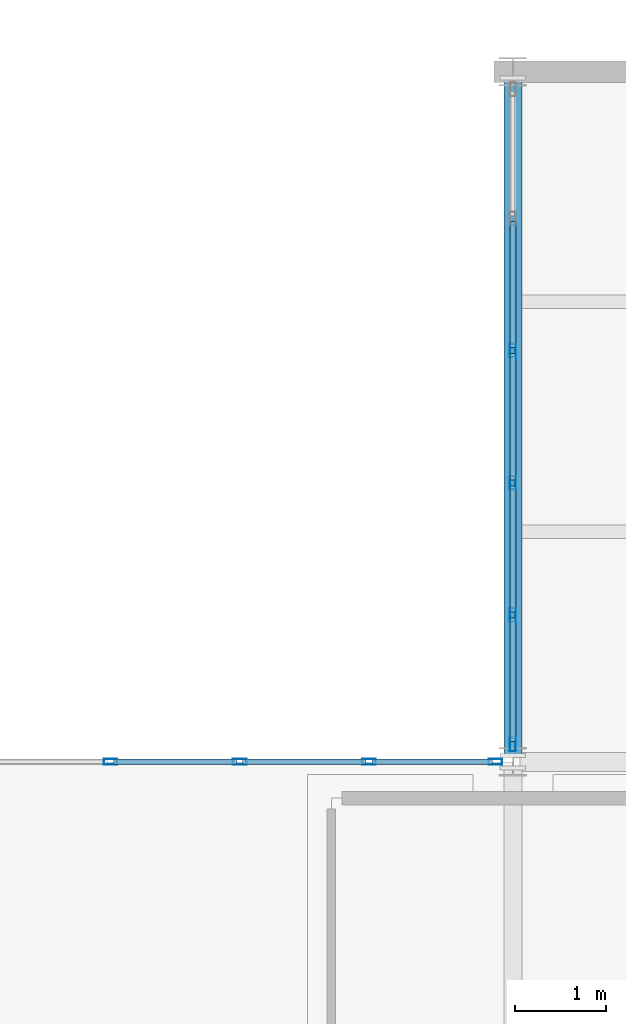
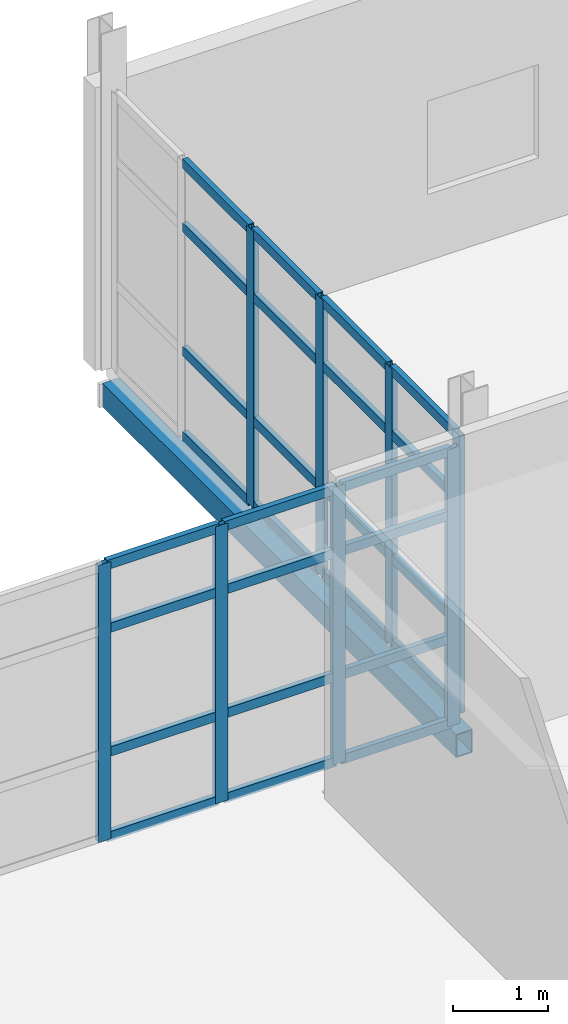
# One storey, part 104 of 166: 36 members, 1 beam, 2 elements without a shape of their own.
"""IFC4 building model written with IfcOpenShell, lengths in metres."""

from ifc_helpers import new_model, si_unit, direction, frame, origin, origin_2d, place, context, subcontext, project, spatial, hollow_rectangle, extrude, material, material_profile, profile_set, type_object, element, aggregate, save


model = new_model("IFC4")

# Units and contexts
model_context = context("Model", 3, precision=1e-05, world=origin(), true_north=direction((0.0, 1.0)))
body_context = subcontext(model_context, "Body", "Model", "MODEL_VIEW")
ifc_project = project(units=[si_unit("LENGTHUNIT", "METRE"), si_unit("AREAUNIT", "SQUARE_METRE"), si_unit("VOLUMEUNIT", "CUBIC_METRE"), si_unit("PLANEANGLEUNIT", "RADIAN"), si_unit("MASSUNIT", "GRAM", prefix="KILO")], contexts=[model_context])

# Site, building, storey
site_placement = place(None, origin())
site = spatial("IfcSite", under=ifc_project, at=site_placement, CompositionType="ELEMENT")
building_placement = place(site_placement, origin())
building = spatial("IfcBuilding", under=site, at=building_placement, Name="Caisbarro Railhouse Central Library", CompositionType="ELEMENT")
storey_placement = place(building_placement, frame((0.0, 0.0, 9.360107421875)))
storey = spatial("IfcBuildingStorey", under=building, at=storey_placement, Name="L02", CompositionType="ELEMENT", Elevation=9.360107421875)

# Beam
ifc_material_1 = material(Name="Steel ASTM A572 Grade 50", Category="steel")
ifc_material_profile_1 = material_profile(ifc_material_1, hollow_rectangle(XDim=0.199951171875, YDim=0.300048828125, WallThickness=0.012451171875, at=origin_2d()), Name="HSS300X200X12.5")
ifc_profile_set_1 = profile_set([ifc_material_profile_1], Name="Steel ASTM A572 Grade 50")
beam_type = type_object("IfcBeamType", Name="BM-SP02", PredefinedType="SPANDREL", material=ifc_profile_set_1)
beam_placement = place(storey_placement, frame((117.0, 106.47998046875, -0.3701171875), z_axis=(0.0, 1.0, 0.0), x_axis=(-1.0, 0.0, 0.0)))
element("IfcBeam", 1, at=beam_placement, inside=storey, type_object=beam_type, Name="SP02 beam L02 #1512", PredefinedType="SPANDREL", context=body_context, shape_type="SweptSolid", body=[
    extrude(hollow_rectangle(XDim=0.199951171875, YDim=0.300048828125, WallThickness=0.012451171875, at=origin_2d()), origin(), (0.0, 0.0, 1.0), 7.43994140625),
])

# Curtain wall, members
ifc_material_2 = material(Name="Anodised architectural aluminium", Category="aluminium")
curtain_wall_type = type_object("IfcCurtainWallType", Name="CW-CW03", PredefinedType="NOTDEFINED", material=ifc_material_2)
curtain_wall_1_placement = place(storey_placement, origin())
curtain_wall_1 = element("IfcCurtainWall", 2, at=curtain_wall_1_placement, inside=storey, type_object=curtain_wall_type, Name="CW03 curtain wall L02 #131", PredefinedType="NOTDEFINED")
ifc_material_profile_2 = material_profile(ifc_material_2, hollow_rectangle(XDim=0.06494140625, YDim=0.14990234375, WallThickness=0.00390625, at=origin_2d()), Name="ALU-MUL-65X150")
ifc_profile_set_2 = profile_set([ifc_material_profile_2], Name="Anodised architectural aluminium")
member_type_1 = type_object("IfcMemberType", Name="CWM-M02", PredefinedType="MULLION", material=ifc_profile_set_2)
member_1_placement = place(storey_placement, frame((112.568115234375, 106.39990234375, 0.0), z_axis=(0.0, 0.0, 1.0), x_axis=(0.0, 1.0, 0.0)))
member_1 = element("IfcMember", 3, at=member_1_placement, type_object=member_type_1, Name="CW03 mullion 4", PredefinedType="MULLION", context=body_context, shape_type="SweptSolid", body=[
    extrude(hollow_rectangle(XDim=0.06494140625, YDim=0.14990234375, WallThickness=0.00390625, at=origin_2d()), origin(), (0.0, 0.0, 1.0), 3.559814453125),
])
member_2_placement = place(storey_placement, frame((113.991943359375, 106.39990234375, 0.0), z_axis=(0.0, 0.0, 1.0), x_axis=(0.0, 1.0, 0.0)))
member_2 = element("IfcMember", 4, at=member_2_placement, type_object=member_type_1, Name="CW03 mullion 5", PredefinedType="MULLION", context=body_context, shape_type="SweptSolid", body=[
    extrude(hollow_rectangle(XDim=0.06494140625, YDim=0.14990234375, WallThickness=0.00390625, at=origin_2d()), origin(), (0.0, 0.0, 1.0), 3.559814453125),
])
member_3_placement = place(storey_placement, frame((115.416015625, 106.39990234375, 0.0), z_axis=(0.0, 0.0, 1.0), x_axis=(0.0, 1.0, 0.0)))
member_3 = element("IfcMember", 5, at=member_3_placement, type_object=member_type_1, Name="CW03 mullion 6", PredefinedType="MULLION", context=body_context, shape_type="SweptSolid", body=[
    extrude(hollow_rectangle(XDim=0.06494140625, YDim=0.14990234375, WallThickness=0.00390625, at=origin_2d()), origin(), (0.0, 0.0, 1.0), 3.559814453125),
])
member_4_placement = place(storey_placement, frame((116.8076171875, 106.39990234375, 0.0), z_axis=(0.0, 0.0, 1.0), x_axis=(0.0, 1.0, 0.0)))
member_4 = element("IfcMember", 6, at=member_4_placement, type_object=member_type_1, Name="CW03 mullion 7", PredefinedType="MULLION", context=body_context, shape_type="SweptSolid", body=[
    extrude(hollow_rectangle(XDim=0.06494140625, YDim=0.14990234375, WallThickness=0.00390625, at=origin_2d()), origin(), (0.0, 0.0, 1.0), 3.559814453125),
])

curtain_wall_2_placement = place(storey_placement, origin())
curtain_wall_2 = element("IfcCurtainWall", 7, at=curtain_wall_2_placement, inside=storey, type_object=curtain_wall_type, Name="CW03 curtain wall L02 #132", PredefinedType="NOTDEFINED")
member_5_placement = place(storey_placement, frame((117.0, 106.592529296875, 0.0), z_axis=(0.0, 0.0, 1.0), x_axis=(-1.0, 0.0, 0.0)))
member_5 = element("IfcMember", 8, at=member_5_placement, type_object=member_type_1, Name="CW03 mullion 1", PredefinedType="MULLION", context=body_context, shape_type="SweptSolid", body=[
    extrude(hollow_rectangle(XDim=0.06494140625, YDim=0.14990234375, WallThickness=0.00390625, at=origin_2d()), origin(), (0.0, 0.0, 1.0), 3.559814453125),
])
member_6_placement = place(storey_placement, frame((117.0, 108.01611328125, 0.0), z_axis=(0.0, 0.0, 1.0), x_axis=(-1.0, 0.0, 0.0)))
member_6 = element("IfcMember", 9, at=member_6_placement, type_object=member_type_1, Name="CW03 mullion 2", PredefinedType="MULLION", context=body_context, shape_type="SweptSolid", body=[
    extrude(hollow_rectangle(XDim=0.06494140625, YDim=0.14990234375, WallThickness=0.00390625, at=origin_2d()), origin(), (0.0, 0.0, 1.0), 3.559814453125),
])
member_7_placement = place(storey_placement, frame((117.0, 109.471923828125, 0.0), z_axis=(0.0, 0.0, 1.0), x_axis=(-1.0, 0.0, 0.0)))
member_7 = element("IfcMember", 10, at=member_7_placement, type_object=member_type_1, Name="CW03 mullion 3", PredefinedType="MULLION", context=body_context, shape_type="SweptSolid", body=[
    extrude(hollow_rectangle(XDim=0.06494140625, YDim=0.14990234375, WallThickness=0.00390625, at=origin_2d()), origin(), (0.0, 0.0, 1.0), 3.559814453125),
])
member_8_placement = place(storey_placement, frame((117.0, 110.927978515625, 0.0), z_axis=(0.0, 0.0, 1.0), x_axis=(-1.0, 0.0, 0.0)))
member_8 = element("IfcMember", 11, at=member_8_placement, type_object=member_type_1, Name="CW03 mullion 4", PredefinedType="MULLION", context=body_context, shape_type="SweptSolid", body=[
    extrude(hollow_rectangle(XDim=0.06494140625, YDim=0.14990234375, WallThickness=0.00390625, at=origin_2d()), origin(), (0.0, 0.0, 1.0), 3.559814453125),
])

# Member
ifc_material_profile_3 = material_profile(ifc_material_2, hollow_rectangle(XDim=0.06494140625, YDim=0.1201171875, WallThickness=0.00341796875, at=origin_2d()), Name="ALU-TRN-65X120")
ifc_profile_set_3 = profile_set([ifc_material_profile_3], Name="Anodised architectural aluminium")
member_type_2 = type_object("IfcMemberType", Name="CWT-T02", PredefinedType="USERDEFINED", material=ifc_profile_set_3)
member_9_placement = place(storey_placement, frame((112.6005859375, 106.39990234375, 0.032470703125), z_axis=(1.0, 0.0, 0.0), x_axis=(0.0, 1.0, 0.0)))
member_9 = element("IfcMember", 12, at=member_9_placement, type_object=member_type_2, Name="CW03 transom 4.1", ObjectType="TRANSOM", PredefinedType="USERDEFINED", context=body_context, shape_type="SweptSolid", body=[
    extrude(hollow_rectangle(XDim=0.06494140625, YDim=0.1201171875, WallThickness=0.00341796875, at=origin_2d()), origin(), (0.0, 0.0, 1.0), 1.35888671875),
])

member_10_placement = place(storey_placement, frame((112.6005859375, 106.39990234375, 1.119873046875), z_axis=(1.0, 0.0, 0.0), x_axis=(0.0, 1.0, 0.0)))
member_10 = element("IfcMember", 13, at=member_10_placement, type_object=member_type_2, Name="CW03 transom 4.2", ObjectType="TRANSOM", PredefinedType="USERDEFINED", context=body_context, shape_type="SweptSolid", body=[
    extrude(hollow_rectangle(XDim=0.06494140625, YDim=0.1201171875, WallThickness=0.00341796875, at=origin_2d()), origin(), (0.0, 0.0, 1.0), 1.35888671875),
])

member_11_placement = place(storey_placement, frame((112.6005859375, 106.39990234375, 2.7099609375), z_axis=(1.0, 0.0, 0.0), x_axis=(0.0, 1.0, 0.0)))
member_11 = element("IfcMember", 14, at=member_11_placement, type_object=member_type_2, Name="CW03 transom 4.3", ObjectType="TRANSOM", PredefinedType="USERDEFINED", context=body_context, shape_type="SweptSolid", body=[
    extrude(hollow_rectangle(XDim=0.06494140625, YDim=0.1201171875, WallThickness=0.00341796875, at=origin_2d()), origin(), (0.0, 0.0, 1.0), 1.35888671875),
])

member_12_placement = place(storey_placement, frame((112.6005859375, 106.39990234375, 3.52734375), z_axis=(1.0, 0.0, 0.0), x_axis=(0.0, 1.0, 0.0)))
member_12 = element("IfcMember", 15, at=member_12_placement, type_object=member_type_2, Name="CW03 transom 4.4", ObjectType="TRANSOM", PredefinedType="USERDEFINED", context=body_context, shape_type="SweptSolid", body=[
    extrude(hollow_rectangle(XDim=0.06494140625, YDim=0.1201171875, WallThickness=0.00341796875, at=origin_2d()), origin(), (0.0, 0.0, 1.0), 1.35888671875),
])

member_13_placement = place(storey_placement, frame((114.0244140625, 106.39990234375, 0.032470703125), z_axis=(1.0, 0.0, 0.0), x_axis=(0.0, 1.0, 0.0)))
member_13 = element("IfcMember", 16, at=member_13_placement, type_object=member_type_2, Name="CW03 transom 5.1", ObjectType="TRANSOM", PredefinedType="USERDEFINED", context=body_context, shape_type="SweptSolid", body=[
    extrude(hollow_rectangle(XDim=0.06494140625, YDim=0.1201171875, WallThickness=0.00341796875, at=origin_2d()), origin(), (0.0, 0.0, 1.0), 1.359130859375),
])

member_14_placement = place(storey_placement, frame((114.0244140625, 106.39990234375, 1.119873046875), z_axis=(1.0, 0.0, 0.0), x_axis=(0.0, 1.0, 0.0)))
member_14 = element("IfcMember", 17, at=member_14_placement, type_object=member_type_2, Name="CW03 transom 5.2", ObjectType="TRANSOM", PredefinedType="USERDEFINED", context=body_context, shape_type="SweptSolid", body=[
    extrude(hollow_rectangle(XDim=0.06494140625, YDim=0.1201171875, WallThickness=0.00341796875, at=origin_2d()), origin(), (0.0, 0.0, 1.0), 1.359130859375),
])

member_15_placement = place(storey_placement, frame((114.0244140625, 106.39990234375, 2.7099609375), z_axis=(1.0, 0.0, 0.0), x_axis=(0.0, 1.0, 0.0)))
member_15 = element("IfcMember", 18, at=member_15_placement, type_object=member_type_2, Name="CW03 transom 5.3", ObjectType="TRANSOM", PredefinedType="USERDEFINED", context=body_context, shape_type="SweptSolid", body=[
    extrude(hollow_rectangle(XDim=0.06494140625, YDim=0.1201171875, WallThickness=0.00341796875, at=origin_2d()), origin(), (0.0, 0.0, 1.0), 1.359130859375),
])

member_16_placement = place(storey_placement, frame((114.0244140625, 106.39990234375, 3.52734375), z_axis=(1.0, 0.0, 0.0), x_axis=(0.0, 1.0, 0.0)))
member_16 = element("IfcMember", 19, at=member_16_placement, type_object=member_type_2, Name="CW03 transom 5.4", ObjectType="TRANSOM", PredefinedType="USERDEFINED", context=body_context, shape_type="SweptSolid", body=[
    extrude(hollow_rectangle(XDim=0.06494140625, YDim=0.1201171875, WallThickness=0.00341796875, at=origin_2d()), origin(), (0.0, 0.0, 1.0), 1.359130859375),
])

member_17_placement = place(storey_placement, frame((115.448486328125, 106.39990234375, 0.032470703125), z_axis=(1.0, 0.0, 0.0), x_axis=(0.0, 1.0, 0.0)))
member_17 = element("IfcMember", 20, at=member_17_placement, type_object=member_type_2, Name="CW03 transom 6.1", ObjectType="TRANSOM", PredefinedType="USERDEFINED", context=body_context, shape_type="SweptSolid", body=[
    extrude(hollow_rectangle(XDim=0.06494140625, YDim=0.1201171875, WallThickness=0.00341796875, at=origin_2d()), origin(), (0.0, 0.0, 1.0), 1.326416015625),
])

member_18_placement = place(storey_placement, frame((115.448486328125, 106.39990234375, 1.119873046875), z_axis=(1.0, 0.0, 0.0), x_axis=(0.0, 1.0, 0.0)))
member_18 = element("IfcMember", 21, at=member_18_placement, type_object=member_type_2, Name="CW03 transom 6.2", ObjectType="TRANSOM", PredefinedType="USERDEFINED", context=body_context, shape_type="SweptSolid", body=[
    extrude(hollow_rectangle(XDim=0.06494140625, YDim=0.1201171875, WallThickness=0.00341796875, at=origin_2d()), origin(), (0.0, 0.0, 1.0), 1.326416015625),
])

member_19_placement = place(storey_placement, frame((115.448486328125, 106.39990234375, 2.7099609375), z_axis=(1.0, 0.0, 0.0), x_axis=(0.0, 1.0, 0.0)))
member_19 = element("IfcMember", 22, at=member_19_placement, type_object=member_type_2, Name="CW03 transom 6.3", ObjectType="TRANSOM", PredefinedType="USERDEFINED", context=body_context, shape_type="SweptSolid", body=[
    extrude(hollow_rectangle(XDim=0.06494140625, YDim=0.1201171875, WallThickness=0.00341796875, at=origin_2d()), origin(), (0.0, 0.0, 1.0), 1.326416015625),
])

member_20_placement = place(storey_placement, frame((115.448486328125, 106.39990234375, 3.52734375), z_axis=(1.0, 0.0, 0.0), x_axis=(0.0, 1.0, 0.0)))
member_20 = element("IfcMember", 23, at=member_20_placement, type_object=member_type_2, Name="CW03 transom 6.4", ObjectType="TRANSOM", PredefinedType="USERDEFINED", context=body_context, shape_type="SweptSolid", body=[
    extrude(hollow_rectangle(XDim=0.06494140625, YDim=0.1201171875, WallThickness=0.00341796875, at=origin_2d()), origin(), (0.0, 0.0, 1.0), 1.326416015625),
])

aggregate(curtain_wall_1, [member_1, member_2, member_3, member_4, member_9, member_10, member_11, member_12, member_13, member_14, member_15, member_16, member_17, member_18, member_19, member_20])

member_21_placement = place(storey_placement, frame((117.0, 106.625, 0.032470703125), z_axis=(0.0, 1.0, 0.0), x_axis=(-1.0, 0.0, 0.0)))
member_21 = element("IfcMember", 24, at=member_21_placement, type_object=member_type_2, Name="CW03 transom 1.1", ObjectType="TRANSOM", PredefinedType="USERDEFINED", context=body_context, shape_type="SweptSolid", body=[
    extrude(hollow_rectangle(XDim=0.06494140625, YDim=0.1201171875, WallThickness=0.00341796875, at=origin_2d()), origin(), (0.0, 0.0, 1.0), 1.3583984375),
])

member_22_placement = place(storey_placement, frame((117.0, 106.625, 1.119873046875), z_axis=(0.0, 1.0, 0.0), x_axis=(-1.0, 0.0, 0.0)))
member_22 = element("IfcMember", 25, at=member_22_placement, type_object=member_type_2, Name="CW03 transom 1.2", ObjectType="TRANSOM", PredefinedType="USERDEFINED", context=body_context, shape_type="SweptSolid", body=[
    extrude(hollow_rectangle(XDim=0.06494140625, YDim=0.1201171875, WallThickness=0.00341796875, at=origin_2d()), origin(), (0.0, 0.0, 1.0), 1.3583984375),
])

member_23_placement = place(storey_placement, frame((117.0, 106.625, 2.7099609375), z_axis=(0.0, 1.0, 0.0), x_axis=(-1.0, 0.0, 0.0)))
member_23 = element("IfcMember", 26, at=member_23_placement, type_object=member_type_2, Name="CW03 transom 1.3", ObjectType="TRANSOM", PredefinedType="USERDEFINED", context=body_context, shape_type="SweptSolid", body=[
    extrude(hollow_rectangle(XDim=0.06494140625, YDim=0.1201171875, WallThickness=0.00341796875, at=origin_2d()), origin(), (0.0, 0.0, 1.0), 1.3583984375),
])

member_24_placement = place(storey_placement, frame((117.0, 106.625, 3.52734375), z_axis=(0.0, 1.0, 0.0), x_axis=(-1.0, 0.0, 0.0)))
member_24 = element("IfcMember", 27, at=member_24_placement, type_object=member_type_2, Name="CW03 transom 1.4", ObjectType="TRANSOM", PredefinedType="USERDEFINED", context=body_context, shape_type="SweptSolid", body=[
    extrude(hollow_rectangle(XDim=0.06494140625, YDim=0.1201171875, WallThickness=0.00341796875, at=origin_2d()), origin(), (0.0, 0.0, 1.0), 1.3583984375),
])

member_25_placement = place(storey_placement, frame((117.0, 108.048583984375, 0.032470703125), z_axis=(0.0, 1.0, 0.0), x_axis=(-1.0, 0.0, 0.0)))
member_25 = element("IfcMember", 28, at=member_25_placement, type_object=member_type_2, Name="CW03 transom 2.1", ObjectType="TRANSOM", PredefinedType="USERDEFINED", context=body_context, shape_type="SweptSolid", body=[
    extrude(hollow_rectangle(XDim=0.06494140625, YDim=0.1201171875, WallThickness=0.00341796875, at=origin_2d()), origin(), (0.0, 0.0, 1.0), 1.390869140625),
])

member_26_placement = place(storey_placement, frame((117.0, 108.048583984375, 1.119873046875), z_axis=(0.0, 1.0, 0.0), x_axis=(-1.0, 0.0, 0.0)))
member_26 = element("IfcMember", 29, at=member_26_placement, type_object=member_type_2, Name="CW03 transom 2.2", ObjectType="TRANSOM", PredefinedType="USERDEFINED", context=body_context, shape_type="SweptSolid", body=[
    extrude(hollow_rectangle(XDim=0.06494140625, YDim=0.1201171875, WallThickness=0.00341796875, at=origin_2d()), origin(), (0.0, 0.0, 1.0), 1.390869140625),
])

member_27_placement = place(storey_placement, frame((117.0, 108.048583984375, 2.7099609375), z_axis=(0.0, 1.0, 0.0), x_axis=(-1.0, 0.0, 0.0)))
member_27 = element("IfcMember", 30, at=member_27_placement, type_object=member_type_2, Name="CW03 transom 2.3", ObjectType="TRANSOM", PredefinedType="USERDEFINED", context=body_context, shape_type="SweptSolid", body=[
    extrude(hollow_rectangle(XDim=0.06494140625, YDim=0.1201171875, WallThickness=0.00341796875, at=origin_2d()), origin(), (0.0, 0.0, 1.0), 1.390869140625),
])

member_28_placement = place(storey_placement, frame((117.0, 108.048583984375, 3.52734375), z_axis=(0.0, 1.0, 0.0), x_axis=(-1.0, 0.0, 0.0)))
member_28 = element("IfcMember", 31, at=member_28_placement, type_object=member_type_2, Name="CW03 transom 2.4", ObjectType="TRANSOM", PredefinedType="USERDEFINED", context=body_context, shape_type="SweptSolid", body=[
    extrude(hollow_rectangle(XDim=0.06494140625, YDim=0.1201171875, WallThickness=0.00341796875, at=origin_2d()), origin(), (0.0, 0.0, 1.0), 1.390869140625),
])

member_29_placement = place(storey_placement, frame((117.0, 109.50439453125, 0.032470703125), z_axis=(0.0, 1.0, 0.0), x_axis=(-1.0, 0.0, 0.0)))
member_29 = element("IfcMember", 32, at=member_29_placement, type_object=member_type_2, Name="CW03 transom 3.1", ObjectType="TRANSOM", PredefinedType="USERDEFINED", context=body_context, shape_type="SweptSolid", body=[
    extrude(hollow_rectangle(XDim=0.06494140625, YDim=0.1201171875, WallThickness=0.00341796875, at=origin_2d()), origin(), (0.0, 0.0, 1.0), 1.39111328125),
])

member_30_placement = place(storey_placement, frame((117.0, 109.50439453125, 1.119873046875), z_axis=(0.0, 1.0, 0.0), x_axis=(-1.0, 0.0, 0.0)))
member_30 = element("IfcMember", 33, at=member_30_placement, type_object=member_type_2, Name="CW03 transom 3.2", ObjectType="TRANSOM", PredefinedType="USERDEFINED", context=body_context, shape_type="SweptSolid", body=[
    extrude(hollow_rectangle(XDim=0.06494140625, YDim=0.1201171875, WallThickness=0.00341796875, at=origin_2d()), origin(), (0.0, 0.0, 1.0), 1.39111328125),
])

member_31_placement = place(storey_placement, frame((117.0, 109.50439453125, 2.7099609375), z_axis=(0.0, 1.0, 0.0), x_axis=(-1.0, 0.0, 0.0)))
member_31 = element("IfcMember", 34, at=member_31_placement, type_object=member_type_2, Name="CW03 transom 3.3", ObjectType="TRANSOM", PredefinedType="USERDEFINED", context=body_context, shape_type="SweptSolid", body=[
    extrude(hollow_rectangle(XDim=0.06494140625, YDim=0.1201171875, WallThickness=0.00341796875, at=origin_2d()), origin(), (0.0, 0.0, 1.0), 1.39111328125),
])

member_32_placement = place(storey_placement, frame((117.0, 109.50439453125, 3.52734375), z_axis=(0.0, 1.0, 0.0), x_axis=(-1.0, 0.0, 0.0)))
member_32 = element("IfcMember", 35, at=member_32_placement, type_object=member_type_2, Name="CW03 transom 3.4", ObjectType="TRANSOM", PredefinedType="USERDEFINED", context=body_context, shape_type="SweptSolid", body=[
    extrude(hollow_rectangle(XDim=0.06494140625, YDim=0.1201171875, WallThickness=0.00341796875, at=origin_2d()), origin(), (0.0, 0.0, 1.0), 1.39111328125),
])

member_33_placement = place(storey_placement, frame((117.0, 110.96044921875, 0.032470703125), z_axis=(0.0, 1.0, 0.0), x_axis=(-1.0, 0.0, 0.0)))
member_33 = element("IfcMember", 36, at=member_33_placement, type_object=member_type_2, Name="CW03 transom 4.1", ObjectType="TRANSOM", PredefinedType="USERDEFINED", context=body_context, shape_type="SweptSolid", body=[
    extrude(hollow_rectangle(XDim=0.06494140625, YDim=0.1201171875, WallThickness=0.00341796875, at=origin_2d()), origin(), (0.0, 0.0, 1.0), 1.39111328125),
])

member_34_placement = place(storey_placement, frame((117.0, 110.96044921875, 1.119873046875), z_axis=(0.0, 1.0, 0.0), x_axis=(-1.0, 0.0, 0.0)))
member_34 = element("IfcMember", 37, at=member_34_placement, type_object=member_type_2, Name="CW03 transom 4.2", ObjectType="TRANSOM", PredefinedType="USERDEFINED", context=body_context, shape_type="SweptSolid", body=[
    extrude(hollow_rectangle(XDim=0.06494140625, YDim=0.1201171875, WallThickness=0.00341796875, at=origin_2d()), origin(), (0.0, 0.0, 1.0), 1.39111328125),
])

member_35_placement = place(storey_placement, frame((117.0, 110.96044921875, 2.7099609375), z_axis=(0.0, 1.0, 0.0), x_axis=(-1.0, 0.0, 0.0)))
member_35 = element("IfcMember", 38, at=member_35_placement, type_object=member_type_2, Name="CW03 transom 4.3", ObjectType="TRANSOM", PredefinedType="USERDEFINED", context=body_context, shape_type="SweptSolid", body=[
    extrude(hollow_rectangle(XDim=0.06494140625, YDim=0.1201171875, WallThickness=0.00341796875, at=origin_2d()), origin(), (0.0, 0.0, 1.0), 1.39111328125),
])

member_36_placement = place(storey_placement, frame((117.0, 110.96044921875, 3.52734375), z_axis=(0.0, 1.0, 0.0), x_axis=(-1.0, 0.0, 0.0)))
member_36 = element("IfcMember", 39, at=member_36_placement, type_object=member_type_2, Name="CW03 transom 4.4", ObjectType="TRANSOM", PredefinedType="USERDEFINED", context=body_context, shape_type="SweptSolid", body=[
    extrude(hollow_rectangle(XDim=0.06494140625, YDim=0.1201171875, WallThickness=0.00341796875, at=origin_2d()), origin(), (0.0, 0.0, 1.0), 1.39111328125),
])

aggregate(curtain_wall_2, [member_5, member_6, member_7, member_8, member_21, member_22, member_23, member_24, member_25, member_26, member_27, member_28, member_29, member_30, member_31, member_32, member_33, member_34, member_35, member_36])

save(model, "model.ifc")
